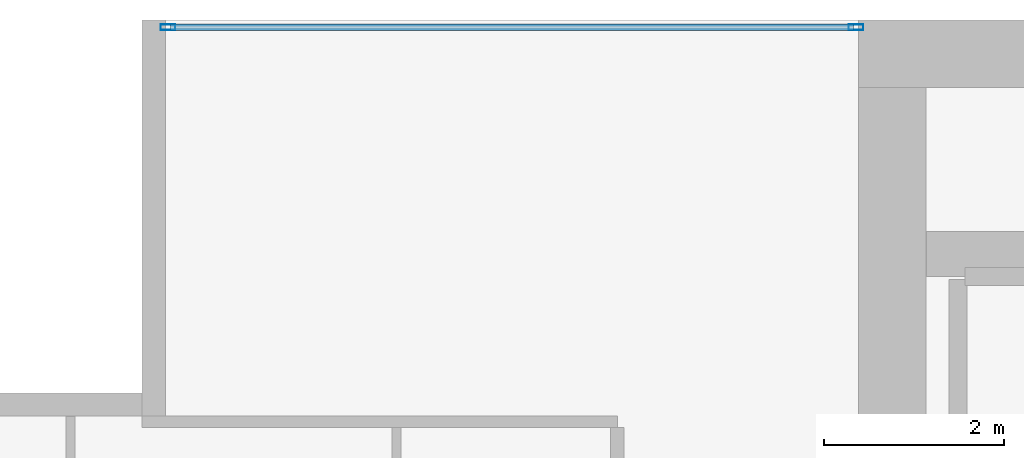
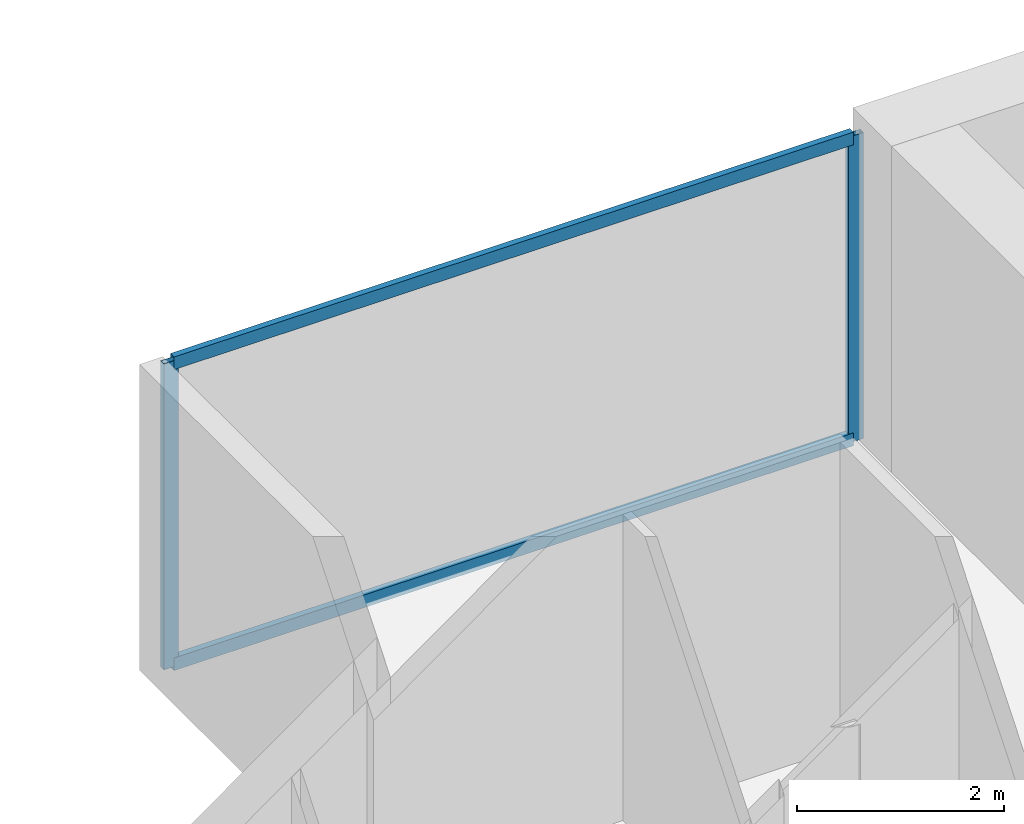
# One storey, part 22 of 33: 4 members, 1 element without a shape of its own.
"""IFC4 building model written with IfcOpenShell, lengths in metres."""

from ifc_helpers import new_model, si_unit, direction, frame, origin, origin_2d, place, context, subcontext, project, spatial, hollow_rectangle, extrude, material, layer, layer_set, material_profile, profile_set, type_object, element, aggregate, save


model = new_model("IFC4")

# Units and contexts
model_context = context("Model", 3, precision=1e-05, world=origin(), true_north=direction((0.0, 1.0)))
body_context = subcontext(model_context, "Body", "Model", "MODEL_VIEW")
ifc_project = project(units=[si_unit("LENGTHUNIT", "METRE"), si_unit("AREAUNIT", "SQUARE_METRE"), si_unit("VOLUMEUNIT", "CUBIC_METRE"), si_unit("PLANEANGLEUNIT", "RADIAN"), si_unit("MASSUNIT", "GRAM", prefix="KILO")], contexts=[model_context])

# Site, building, storey
site_placement = place(None, origin())
site = spatial("IfcSite", under=ifc_project, at=site_placement, CompositionType="ELEMENT")
building_placement = place(site_placement, origin())
building = spatial("IfcBuilding", under=site, at=building_placement, Name="Maruvema Waterfront Hotel and Observation Tower", CompositionType="ELEMENT")
storey_placement = place(building_placement, frame((0.0, 0.0, 196.699951171875)))
storey = spatial("IfcBuildingStorey", under=building, at=storey_placement, Name="L48", CompositionType="ELEMENT", Elevation=196.699951171875)

# Curtain wall, members
ifc_material_1 = material(Name="Anodised bronze aluminium and solar-control low-E IGU", Category="aluminium")
ifc_layer = layer(ifc_material_1, 0.159912109375, Name="Zone 2 Amber Inner Thermal Curtain Wall System CW-03")
ifc_layer_set = layer_set([ifc_layer], Name="Anodised bronze aluminium and solar-control low-E IGU")
curtain_wall_type = type_object("IfcCurtainWallType", Name="Zone 2 Amber Inner Thermal Curtain Wall System CW-03", PredefinedType="USERDEFINED", material=ifc_layer_set)
curtain_wall_placement = place(storey_placement, origin())
curtain_wall = element("IfcCurtainWall", 1, at=curtain_wall_placement, inside=storey, type_object=curtain_wall_type, Name="L48 Curtain Wall CW-L48-NW", ObjectType="UNITISED CURTAIN WALL", PredefinedType="USERDEFINED")
ifc_material_2 = material(Name="Anodised architectural bronze aluminium", Category="aluminium")
ifc_material_profile_1 = material_profile(ifc_material_2, hollow_rectangle(XDim=0.070068359375, YDim=0.14990234375, WallThickness=0.00390625, at=origin_2d()), Name="ALU-T70x150")
ifc_profile_set_1 = profile_set([ifc_material_profile_1], Name="Anodised architectural bronze aluminium")
member_type_1 = type_object("IfcMemberType", Name="Curtain Wall Horizontal Transom ALU-T70x150", PredefinedType="USERDEFINED", material=ifc_profile_set_1)
member_1_placement = place(storey_placement, frame((25.139892578125, 53.919921875, 0.030029296875), z_axis=(-1.0, 0.0, 0.0), x_axis=(0.0, -1.0, 0.0)))
member_1 = element("IfcMember", 2, at=member_1_placement, type_object=member_type_1, Name="CW-03 transom 1.1", ObjectType="TRANSOM", PredefinedType="USERDEFINED", context=body_context, shape_type="SweptSolid", body=[
    extrude(hollow_rectangle(XDim=0.070068359375, YDim=0.14990234375, WallThickness=0.00390625, at=origin_2d()), origin(), (0.0, 0.0, 1.0), 7.579833984375),
])
member_2_placement = place(storey_placement, frame((25.139892578125, 53.919921875, 3.580078125), z_axis=(-1.0, 0.0, 0.0), x_axis=(0.0, -1.0, 0.0)))
member_2 = element("IfcMember", 3, at=member_2_placement, type_object=member_type_1, Name="CW-03 transom 1.2", ObjectType="TRANSOM", PredefinedType="USERDEFINED", context=body_context, shape_type="SweptSolid", body=[
    extrude(hollow_rectangle(XDim=0.070068359375, YDim=0.14990234375, WallThickness=0.00390625, at=origin_2d()), origin(), (0.0, 0.0, 1.0), 7.579833984375),
])
ifc_material_3 = material(Name="Anodised architectural bronze aluminium", Category="aluminium")
ifc_material_profile_2 = material_profile(ifc_material_3, hollow_rectangle(XDim=0.06494140625, YDim=0.1650390625, WallThickness=0.00390625, at=origin_2d()), Name="ALU-M65x165")
ifc_profile_set_2 = profile_set([ifc_material_profile_2], Name="Anodised architectural bronze aluminium")
member_type_2 = type_object("IfcMemberType", Name="Curtain Wall Primary Mullion ALU-M65x165", PredefinedType="MULLION", material=ifc_profile_set_2)
member_3_placement = place(storey_placement, frame((25.169921875, 53.919921875, 0.0), z_axis=(0.0, 0.0, 1.0), x_axis=(0.0, -1.0, 0.0)))
member_3 = element("IfcMember", 4, at=member_3_placement, type_object=member_type_2, Name="CW-03 mullion 1", PredefinedType="MULLION", context=body_context, shape_type="SweptSolid", body=[
    extrude(hollow_rectangle(XDim=0.06494140625, YDim=0.1650390625, WallThickness=0.00390625, at=origin_2d()), origin(), (0.0, 0.0, 1.0), 3.610107421875),
])
member_4_placement = place(storey_placement, frame((17.530029296875, 53.919921875, 0.0), z_axis=(0.0, 0.0, 1.0), x_axis=(0.0, -1.0, 0.0)))
member_4 = element("IfcMember", 5, at=member_4_placement, type_object=member_type_2, Name="CW-03 mullion 2", PredefinedType="MULLION", context=body_context, shape_type="SweptSolid", body=[
    extrude(hollow_rectangle(XDim=0.06494140625, YDim=0.1650390625, WallThickness=0.00390625, at=origin_2d()), origin(), (0.0, 0.0, 1.0), 3.610107421875),
])
aggregate(curtain_wall, [member_3, member_4, member_1, member_2])

save(model, "model.ifc")
